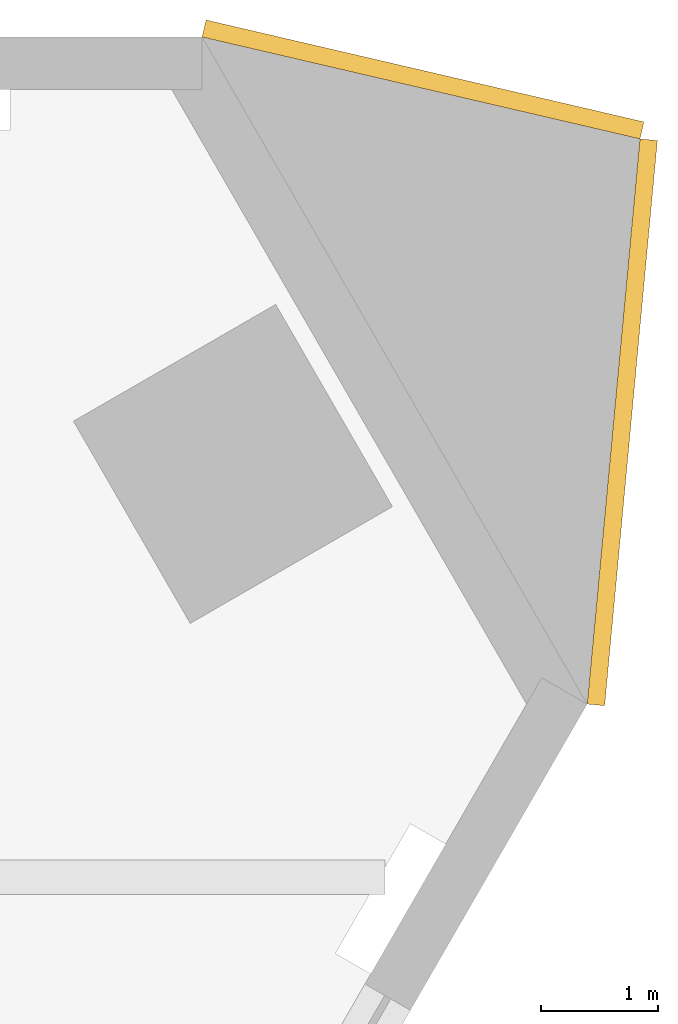
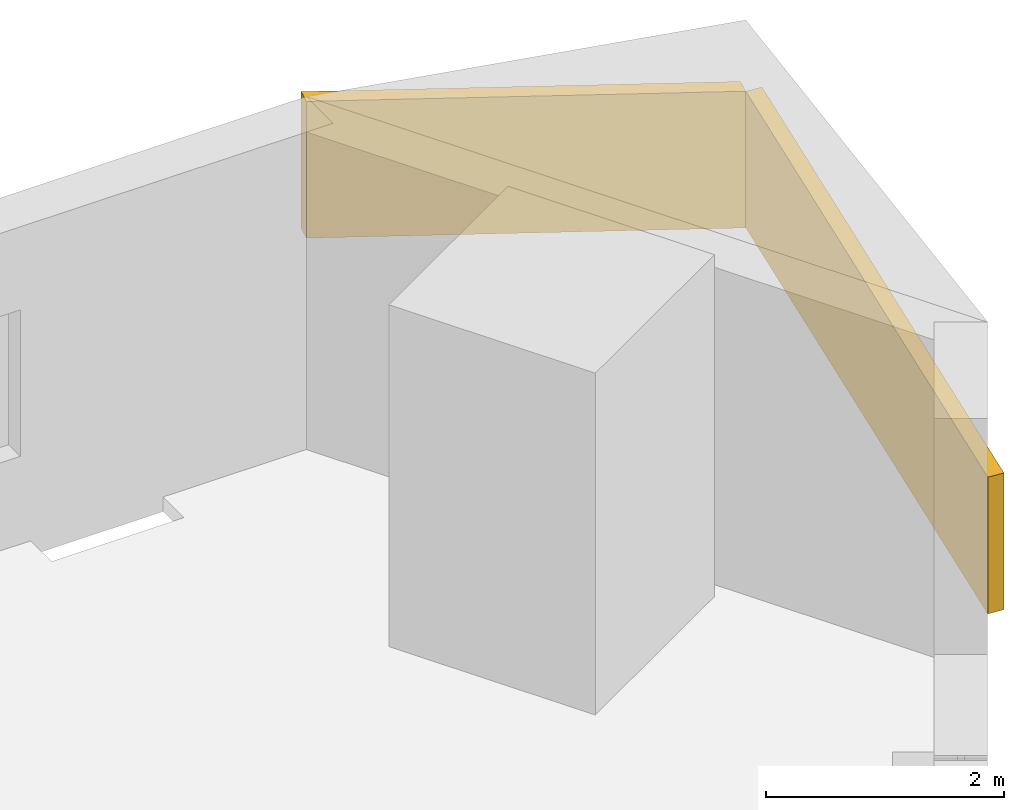
# One storey, part 10 of 10: 2 coverings.
"""IFC4 building model written with IfcOpenShell, lengths in metres."""

from ifc_helpers import new_model, si_unit, direction, frame, origin, place, context, subcontext, project, spatial, polyline, outline, extrude, material, layer, layer_set, type_object, element, save


model = new_model("IFC4")

# Units and contexts
model_context = context("Model", 3, precision=1e-05, world=origin(), true_north=direction((0.0, 1.0)))
body_context = subcontext(model_context, "Body", "Model", "MODEL_VIEW")
ifc_project = project(units=[si_unit("LENGTHUNIT", "METRE"), si_unit("AREAUNIT", "SQUARE_METRE"), si_unit("VOLUMEUNIT", "CUBIC_METRE"), si_unit("PLANEANGLEUNIT", "RADIAN"), si_unit("MASSUNIT", "GRAM", prefix="KILO")], contexts=[model_context])

# Site, building, storey
site_placement = place(None, origin())
site = spatial("IfcSite", under=ifc_project, at=site_placement, CompositionType="ELEMENT")
building_placement = place(site_placement, origin())
building = spatial("IfcBuilding", under=site, at=building_placement, Name="Aloe Facet Convention Tower", CompositionType="ELEMENT")
storey_placement = place(building_placement, frame((0.0, 0.0, 73.5)))
storey = spatial("IfcBuildingStorey", under=building, at=storey_placement, Name="L17", CompositionType="ELEMENT", Elevation=73.5)

# Coverings
ifc_material = material(Name="Bronze oxide fascia sheet")
ifc_layer = layer(ifc_material, 0.14990234375)
ifc_layer_set = layer_set([ifc_layer], Name="EV-FASCIA-TERR")
covering_type = type_object("IfcCoveringType", Name="EV-FASCIA-TERR", PredefinedType="CLADDING", material=ifc_layer_set)
covering_1_placement = place(storey_placement, frame((105.849365234375, 129.270263671875, 0.2626953125), z_axis=(0.995674367568, -0.092911537324, 0.0), x_axis=(0.091499073113, 0.980537879125, 0.173704885423)))
element("IfcCovering", 1, at=covering_1_placement, inside=storey, type_object=covering_type, Name="Spiral ribbon zone 1 part 11 over the corner spine", PredefinedType="CLADDING", context=body_context, shape_type="SweptSolid", body=[
    extrude(outline(polyline([(0.0, 0.0), (4.938894805185321, -1.1102230246251565e-16), (5.18206468140953, 1.3786206814544189), (0.24316987622420905, 1.3786206814544189), (0.0, 0.0)])), origin(), (0.0, 0.0, -1.0), 0.14990234375),
])
covering_2_placement = place(storey_placement, frame((106.185791015625, 134.27294921875, 1.12060546875), z_axis=(0.226650530706, 0.97397614803, 0.0), x_axis=(-0.959169024682, 0.223204817613, 0.173707776123)))
element("IfcCovering", 2, at=covering_2_placement, inside=storey, type_object=covering_type, Name="Spiral ribbon zone 1 part 12 over the corner spine", PredefinedType="CLADDING", context=body_context, shape_type="SweptSolid", body=[
    extrude(outline(polyline([(0.0, 0.0), (3.911415910892902, 0.0), (4.15458983381569, 1.3786199676658848), (0.24317392292278778, 1.3786199676658848), (0.0, 0.0)])), origin(), (0.0, 0.0, -1.0), 0.14990234375),
])

save(model, "model.ifc")
